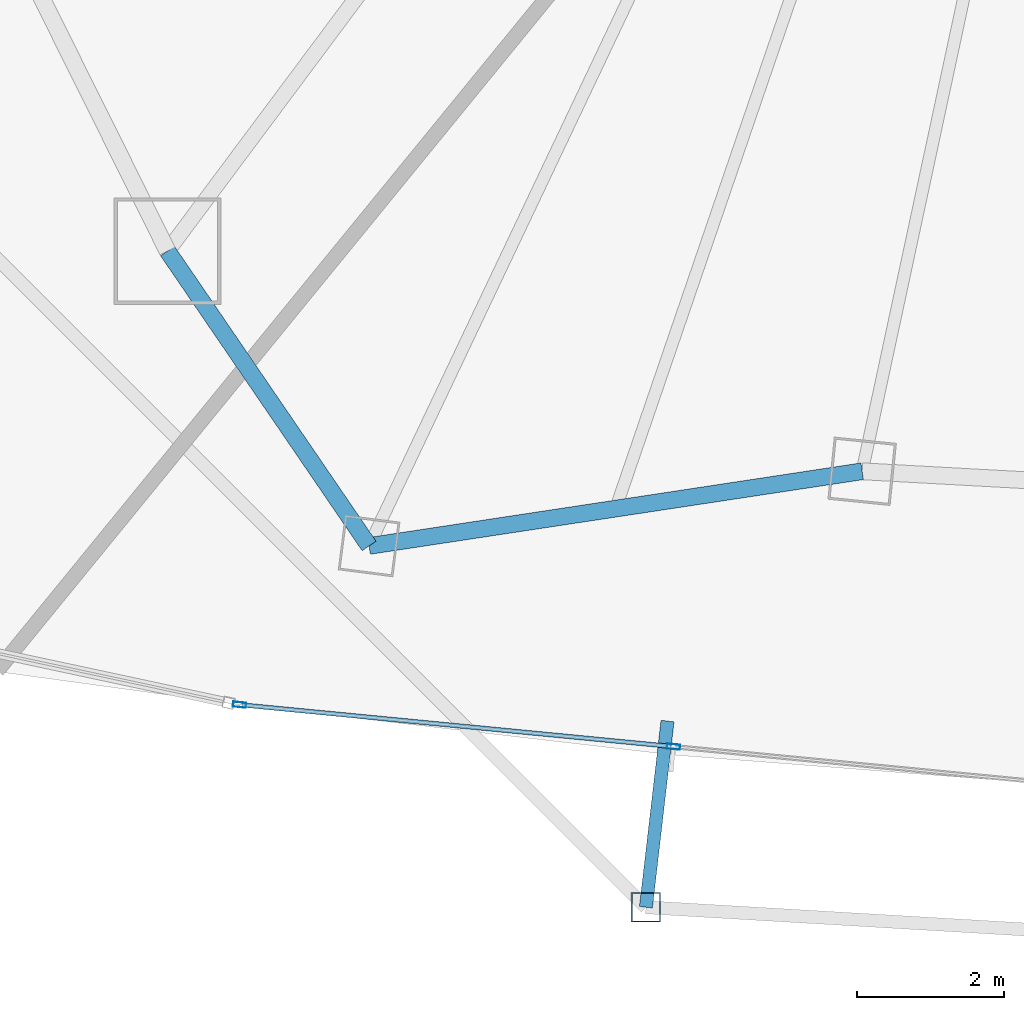
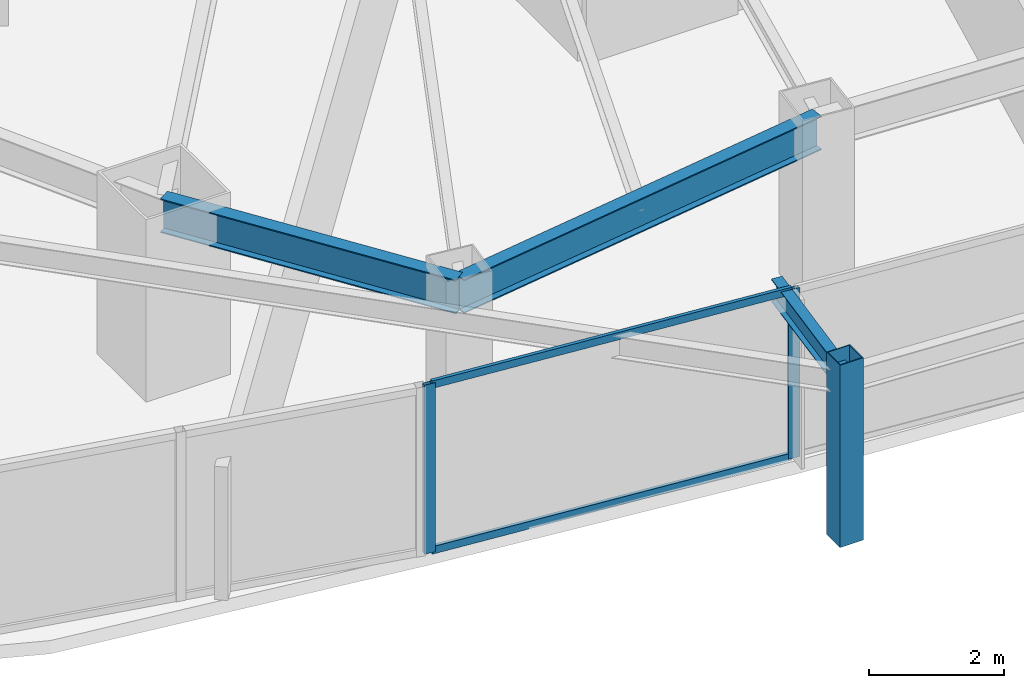
# One storey, part 4 of 33: 5 members, 3 beams, 1 element without a shape of its own.
"""IFC4 building model written with IfcOpenShell, lengths in metres."""

import ifcopenshell
import ifcopenshell.guid

model = None  # the IFC model being written
_history = None  # IfcOwnerHistory: only IFC2X3 demands one
_inside = {}  # id of a spatial element -> (the spatial element, [elements in it])
_under = {}  # id of a project, library or spatial element -> (it, [spatial elements below it])
_declared = {}  # id of a project -> (the project, [libraries it declares])
_typed = {}  # id of a type object -> (the type object, [elements of that type])
_made_of = {}  # id of a material, layer set ... -> (it, [elements and type objects made of it])


def new_model(schema):
    """Start an empty IFC model of exactly this schema.

    Asked for "IFC4X3", IfcOpenShell would pick the latest addendum, in which some entities
    have other attributes; the version numbers below select the first issue.
    IFC2X3 requires an IfcOwnerHistory on every rooted entity: one is made here for all.
    """
    global model, _history
    if schema == "IFC4X3":
        model = ifcopenshell.file(schema_version=(4, 3, 0, 0))
    else:
        model = ifcopenshell.file(schema=schema)
    _inside.clear()
    _under.clear()
    _declared.clear()
    _typed.clear()
    _made_of.clear()
    _history = None
    if model.schema == "IFC2X3":
        org = make("IfcOrganization", Name="unknown")
        user = make(
            "IfcPersonAndOrganization",
            ThePerson=make("IfcPerson", FamilyName="unknown"),
            TheOrganization=org,
        )
        app = make(
            "IfcApplication",
            ApplicationDeveloper=org,
            Version="unknown",
            ApplicationFullName="unknown",
            ApplicationIdentifier="unknown",
        )
        _history = make(
            "IfcOwnerHistory",
            OwningUser=user,
            OwningApplication=app,
            ChangeAction="ADDED",
            CreationDate=0,
        )
    return model


def make(cls, **values):
    """One entity of the class cls with the attributes given. An attribute that is None is left unset."""
    return model.create_entity(
        cls, **{name: value for name, value in values.items() if value is not None}
    )


def rooted(cls, **values):
    """An entity with a GlobalId (a new one), such as an element, a storey or a relation."""
    return make(cls, GlobalId=ifcopenshell.guid.new(), OwnerHistory=_history, **values)


def si_unit(unit_type, name, prefix=None):
    """IfcSIUnit, for example si_unit("LENGTHUNIT", "METRE", prefix="MILLI")."""
    return make("IfcSIUnit", UnitType=unit_type, Prefix=prefix, Name=name)


def assignment(units):
    """IfcUnitAssignment: the units of a project."""
    return None if units is None else make("IfcUnitAssignment", Units=units)


def point(xyz):
    """IfcCartesianPoint."""
    return None if xyz is None else make("IfcCartesianPoint", Coordinates=xyz)


def direction(xyz):
    """IfcDirection."""
    return None if xyz is None else make("IfcDirection", DirectionRatios=xyz)


def frame(location, z_axis=None, x_axis=None):
    """IfcAxis2Placement3D, a coordinate frame: its origin and axes. An axis left out is left unset."""
    return make(
        "IfcAxis2Placement3D",
        Location=point(location),
        Axis=direction(z_axis),
        RefDirection=direction(x_axis),
    )


def frame_2d(location, x_axis=None):
    """IfcAxis2Placement2D, a coordinate frame in the plane: its origin and x axis."""
    return make(
        "IfcAxis2Placement2D", Location=point(location), RefDirection=direction(x_axis)
    )


def origin():
    """The frame at (0, 0, 0) with its axes left unset."""
    return frame((0.0, 0.0, 0.0))


def origin_2d():
    """The frame at (0, 0) in the plane with its x axis left unset."""
    return frame_2d((0.0, 0.0))


def place(relative_to, where):
    """IfcLocalPlacement: puts the frame where relative to a parent placement (None: the world)."""
    return make(
        "IfcLocalPlacement", PlacementRelTo=relative_to, RelativePlacement=where
    )


def context(
    kind, dimensions, precision=None, world=None, true_north=None, identifier=None
):
    """IfcGeometricRepresentationContext, for example the 3D "Model" context."""
    return make(
        "IfcGeometricRepresentationContext",
        ContextIdentifier=identifier,
        ContextType=kind,
        CoordinateSpaceDimension=dimensions,
        Precision=precision,
        WorldCoordinateSystem=world,
        TrueNorth=true_north,
    )


def subcontext(parent, identifier, kind, view, scale=None):
    """IfcGeometricRepresentationSubContext, for example "Body" below "Model"."""
    return make(
        "IfcGeometricRepresentationSubContext",
        ContextIdentifier=identifier,
        ContextType=kind,
        ParentContext=parent,
        TargetScale=scale,
        TargetView=view,
    )


def project(units=None, contexts=None):
    """IfcProject with its units and contexts."""
    return rooted(
        "IfcProject",
        Name="project",
        RepresentationContexts=contexts,
        UnitsInContext=assignment(units),
    )


def spatial(cls, under=None, at=None, **own):
    """A site, building, storey or space (cls), placed at a placement, below another one or the project."""
    s = rooted(cls, ObjectPlacement=at, **own)
    if under is not None:
        _under.setdefault(under.id(), (under, []))[1].append(s)
    return s


def profile(cls, at=None, kind="AREA", **sizes):
    """A parametric profile (cls). Its sizes go by their IFC names, for example OverallWidth=200.0."""
    return make(cls, ProfileType=kind, Position=at, **sizes)


def hollow_rectangle(**sizes):
    """IfcRectangleHollowProfileDef."""
    return profile("IfcRectangleHollowProfileDef", **sizes)


def i_section(**sizes):
    """IfcIShapeProfileDef."""
    return profile("IfcIShapeProfileDef", **sizes)


def extrude(swept, where, along, depth):
    """IfcExtrudedAreaSolid: the profile swept, set in the frame where, extruded along a direction by depth."""
    return make(
        "IfcExtrudedAreaSolid",
        SweptArea=swept,
        Position=where,
        ExtrudedDirection=direction(along),
        Depth=depth,
    )


def shape(context_of_items, identifier, shape_type, items):
    """IfcShapeRepresentation: the items that make up one representation, for example the "Body"."""
    return make(
        "IfcShapeRepresentation",
        ContextOfItems=context_of_items,
        RepresentationIdentifier=identifier,
        RepresentationType=shape_type,
        Items=items,
    )


def material(Name=None, Category=None):
    """IfcMaterial."""
    return make("IfcMaterial", Name=Name, Category=Category)


def layer(
    of_material, thickness, ventilated=None, Name=None, Category=None, Priority=None
):
    """IfcMaterialLayer: one layer of a wall or slab, of a material (None: an air gap)."""
    return make(
        "IfcMaterialLayer",
        Material=of_material,
        LayerThickness=thickness,
        IsVentilated=ventilated,
        Name=Name,
        Category=Category,
        Priority=Priority,
    )


def layer_set(layers, Name=None):
    """IfcMaterialLayerSet."""
    return make("IfcMaterialLayerSet", MaterialLayers=layers, LayerSetName=Name)


def material_profile(
    of_material, cross_section, Name=None, Category=None, Priority=None
):
    """IfcMaterialProfile: a cross section and its material."""
    return make(
        "IfcMaterialProfile",
        Name=Name,
        Material=of_material,
        Profile=cross_section,
        Priority=Priority,
        Category=Category,
    )


def profile_set(profiles, Name=None, composite=None):
    """IfcMaterialProfileSet."""
    return make(
        "IfcMaterialProfileSet",
        Name=Name,
        MaterialProfiles=profiles,
        CompositeProfile=composite,
    )


def made_of(thing, what):
    """Note that an element or type object is made of a material, layer set ...; save() writes the relation."""
    if what is not None:
        _made_of.setdefault(what.id(), (what, []))[1].append(thing)
    return thing


def type_object(cls, material=None, **own):
    """A type object (cls), such as IfcWallType, which elements share."""
    return made_of(rooted(cls, **own), material)


def element(
    cls,
    number,
    at=None,
    inside=None,
    cuts=None,
    type_object=None,
    material=None,
    context=None,
    identifier="Body",
    shape_type=None,
    held_by="IfcProductDefinitionShape",
    body=None,
    shapes=None,
    **own,
):
    """One element of the class cls, such as IfcWall. Its Tag is "e" and its number.

    at: its placement. inside: the storey or other place that contains it. cuts: it is an
    opening in that element (IfcRelVoidsElement). A single representation is given by context,
    identifier, shape_type and body (its items); several are given by shapes. held_by: the class
    of the entity that holds the representations. save() writes the other relations.
    """
    e = rooted(cls, Tag="e%d" % number, ObjectPlacement=at, **own)
    if body is not None:
        shapes = [shape(context, identifier, shape_type, body)]
    if shapes is not None:
        e.Representation = make(held_by, Representations=shapes)
    if inside is not None:
        _inside.setdefault(inside.id(), (inside, []))[1].append(e)
    if cuts is not None:
        rooted(
            "IfcRelVoidsElement", RelatingBuildingElement=cuts, RelatedOpeningElement=e
        )
    if type_object is not None:
        _typed.setdefault(type_object.id(), (type_object, []))[1].append(e)
    return made_of(e, material)


def aggregate(whole, parts):
    """IfcRelAggregates: a whole, such as a stair, and the parts it consists of."""
    return rooted("IfcRelAggregates", RelatingObject=whole, RelatedObjects=parts)


def save(model, path):
    """Write the relations noted so far, then the file.

    IfcRelAggregates (storeys below a building ...), IfcRelContainedInSpatialStructure (elements
    in a storey), IfcRelDefinesByType, IfcRelAssociatesMaterial and IfcRelDeclares: one each for
    every whole, place, type object, material and project.
    """
    for whole, parts in _under.values():
        aggregate(whole, parts)
    for where, things in _inside.values():
        rooted(
            "IfcRelContainedInSpatialStructure",
            RelatedElements=things,
            RelatingStructure=where,
        )
    for kind, things in _typed.values():
        rooted("IfcRelDefinesByType", RelatedObjects=things, RelatingType=kind)
    for what, things in _made_of.values():
        rooted("IfcRelAssociatesMaterial", RelatedObjects=things, RelatingMaterial=what)
    for by, libraries in _declared.values():
        rooted("IfcRelDeclares", RelatingContext=by, RelatedDefinitions=libraries)
    model.write(path)


model = new_model("IFC4")

# Units and contexts
model_context = context("Model", 3, precision=1e-05, world=origin(), true_north=direction((0.0, 1.0)))
body_context = subcontext(model_context, "Body", "Model", "MODEL_VIEW")
ifc_project = project(units=[si_unit("LENGTHUNIT", "METRE"), si_unit("AREAUNIT", "SQUARE_METRE"), si_unit("VOLUMEUNIT", "CUBIC_METRE"), si_unit("PLANEANGLEUNIT", "RADIAN"), si_unit("MASSUNIT", "GRAM", prefix="KILO")], contexts=[model_context])

# Site, building, storey
site_placement = place(None, origin())
site = spatial("IfcSite", under=ifc_project, at=site_placement, CompositionType="ELEMENT")
building_placement = place(site_placement, origin())
building = spatial("IfcBuilding", under=site, at=building_placement, Name="Orvanel Arch Residences", CompositionType="ELEMENT")
storey_placement = place(building_placement, frame((0.0, 0.0, 116.60009765625)))
storey = spatial("IfcBuildingStorey", under=building, at=storey_placement, Name="L32", CompositionType="ELEMENT", Elevation=116.60009765625)

# Curtain wall, members
ifc_material_1 = material(Name="Bronze-anodised aluminium AA6063-T6", Category="aluminium")
ifc_layer = layer(ifc_material_1, 0.179931640625)
ifc_layer_set = layer_set([ifc_layer], Name="Bronze-anodised aluminium AA6063-T6")
curtain_wall_type = type_object("IfcCurtainWallType", Name="CW3-MID-SYS", PredefinedType="NOTDEFINED", material=ifc_layer_set)
curtain_wall_placement = place(storey_placement, origin())
curtain_wall = element("IfcCurtainWall", 1, at=curtain_wall_placement, inside=storey, type_object=curtain_wall_type, Name="L32 CW3-MID-SYS Unitised Curtain Wall", PredefinedType="NOTDEFINED")
ifc_material_profile_1 = material_profile(ifc_material_1, hollow_rectangle(XDim=0.070068359375, YDim=0.179931640625, WallThickness=0.00439453125, at=origin_2d()), Name="ALU180x70x4.5")
ifc_profile_set_1 = profile_set([ifc_material_profile_1], Name="Bronze-anodised aluminium AA6063-T6")
member_type_1 = type_object("IfcMemberType", Name="MUL-180x70", PredefinedType="MULLION", material=ifc_profile_set_1)
member_1_placement = place(storey_placement, frame((15.178955078125, 4.1796875, 0.0), z_axis=(0.0, 0.0, 1.0), x_axis=(0.09620902607, 0.995361152197, 0.0)))
member_1 = element("IfcMember", 2, at=member_1_placement, type_object=member_type_1, Name="CW-S3 mullion 1", PredefinedType="MULLION", context=body_context, shape_type="SweptSolid", body=[
    extrude(hollow_rectangle(XDim=0.070068359375, YDim=0.179931640625, WallThickness=0.00439453125, at=origin_2d()), origin(), (0.0, 0.0, 1.0), 3.059814453125),
])
member_2_placement = place(storey_placement, frame((21.08251953125, 3.60888671875, 0.0), z_axis=(0.0, 0.0, 1.0), x_axis=(0.09620902607, 0.995361152197, 0.0)))
member_2 = element("IfcMember", 3, at=member_2_placement, type_object=member_type_1, Name="CW-S3 mullion 2", PredefinedType="MULLION", context=body_context, shape_type="SweptSolid", body=[
    extrude(hollow_rectangle(XDim=0.070068359375, YDim=0.179931640625, WallThickness=0.00439453125, at=origin_2d()), origin(), (0.0, 0.0, 1.0), 3.059814453125),
])

# Beams
ifc_material_2 = material(Name="Structural steel AS/NZS 3679.1 Grade 300 (300 MPa)", Category="steel")
ifc_material_profile_2 = material_profile(ifc_material_2, i_section(OverallWidth=0.177978515625, OverallDepth=0.406005859375, WebThickness=0.0078125, FlangeThickness=0.0126953125, at=origin_2d()), Name="410UB59.7")
ifc_profile_set_2 = profile_set([ifc_material_profile_2], Name="Structural steel AS/NZS 3679.1 Grade 300 (300 MPa)")
beam_type_1 = type_object("IfcBeamType", Name="OB-410UB-EXT", PredefinedType="SPANDREL", material=ifc_profile_set_2)
beam_1_placement = place(storey_placement, frame((21.0009765625, 3.95703125, 2.85693359375), z_axis=(-0.115274576755, -0.993333665972, 0.0), x_axis=(0.993333665972, -0.115274576755, 0.0)))
element("IfcBeam", 4, at=beam_1_placement, inside=storey, type_object=beam_type_1, Name="L32 Outer Frame Radial Tie Beam 05", PredefinedType="SPANDREL", context=body_context, shape_type="SweptSolid", body=[
    extrude(i_section(OverallWidth=0.177978515625, OverallDepth=0.406005859375, WebThickness=0.0078125, FlangeThickness=0.0126953125, at=origin_2d()), origin(), (0.0, 0.0, 1.0), 2.550048828125),
])
ifc_material_profile_3 = material_profile(ifc_material_2, i_section(OverallWidth=0.22900390625, OverallDepth=0.612060546875, WebThickness=0.011962890625, FlangeThickness=0.01953125, at=origin_2d()), Name="610UB125")
ifc_profile_set_3 = profile_set([ifc_material_profile_3], Name="Structural steel AS/NZS 3679.1 Grade 300 (300 MPa)")
beam_type_2 = type_object("IfcBeamType", Name="SP-610UB", PredefinedType="SPANDREL", material=ifc_profile_set_3)
beam_2_placement = place(storey_placement, frame((14.198974609375, 10.35107421875, 2.75390625), z_axis=(0.564251579852, -0.825602903722, 0.0), x_axis=(0.825602903722, 0.564251579852, 0.0)))
element("IfcBeam", 5, at=beam_2_placement, inside=storey, type_object=beam_type_2, Name="L32 Perimeter Spandrel Beam 03", PredefinedType="SPANDREL", context=body_context, shape_type="SweptSolid", body=[
    extrude(i_section(OverallWidth=0.22900390625, OverallDepth=0.612060546875, WebThickness=0.011962890625, FlangeThickness=0.01953125, at=origin_2d()), origin(), (0.0, 0.0, 1.0), 4.859375),
])
beam_3_placement = place(storey_placement, frame((16.94091796875, 6.339111328125, 2.75390625), z_axis=(0.988726323014, 0.149733958002, 0.0), x_axis=(-0.149733958002, 0.988726323014, 0.0)))
element("IfcBeam", 6, at=beam_3_placement, inside=storey, type_object=beam_type_2, Name="L32 Perimeter Spandrel Beam 04", PredefinedType="SPANDREL", context=body_context, shape_type="SweptSolid", body=[
    extrude(i_section(OverallWidth=0.22900390625, OverallDepth=0.612060546875, WebThickness=0.011962890625, FlangeThickness=0.01953125, at=origin_2d()), origin(), (0.0, 0.0, 1.0), 6.784423828125),
])

# Member
ifc_material_3 = material(Name="Structural steel AS/NZS 1163 C450L0 (Grade 450)", Category="steel")
ifc_material_profile_4 = material_profile(ifc_material_3, hollow_rectangle(XDim=0.39990234375, YDim=0.39990234375, WallThickness=0.01611328125, at=origin_2d()), Name="SHS400x400x16")
ifc_profile_set_4 = profile_set([ifc_material_profile_4], Name="Structural steel AS/NZS 1163 C450L0 (Grade 450)")
member_type_2 = type_object("IfcMemberType", Name="ST-400SHS-EXT", PredefinedType="STRUT", material=ifc_profile_set_4)
member_3_placement = place(storey_placement, frame((20.70703125, 1.424072265625, 0.0), z_axis=(0.0, 0.0, 1.0), x_axis=(1.0, 0.0, 0.0)))
element("IfcMember", 7, at=member_3_placement, inside=storey, type_object=member_type_2, Name="L32 Outer Perimeter Frame Post 05", PredefinedType="STRUT", context=body_context, shape_type="SweptSolid", body=[
    extrude(hollow_rectangle(XDim=0.39990234375, YDim=0.39990234375, WallThickness=0.01611328125, at=origin_2d()), origin(), (0.0, 0.0, 1.0), 3.2998046875),
])

ifc_material_profile_5 = material_profile(ifc_material_1, hollow_rectangle(XDim=0.06005859375, YDim=0.135009765625, WallThickness=0.00390625, at=origin_2d()), Name="ALU135x60x4")
ifc_profile_set_5 = profile_set([ifc_material_profile_5], Name="Bronze-anodised aluminium AA6063-T6")
member_type_3 = type_object("IfcMemberType", Name="TRN-135x60", PredefinedType="USERDEFINED", material=ifc_profile_set_5)
member_4_placement = place(storey_placement, frame((15.213623046875, 4.17626953125, 0.02978515625), z_axis=(0.99536005659, -0.096220360342, 0.0), x_axis=(0.096220360342, 0.99536005659, 0.0)))
member_4 = element("IfcMember", 8, at=member_4_placement, type_object=member_type_3, Name="CW-S3 transom 1.1", ObjectType="TRANSOM", PredefinedType="USERDEFINED", context=body_context, shape_type="SweptSolid", body=[
    extrude(hollow_rectangle(XDim=0.06005859375, YDim=0.135009765625, WallThickness=0.00390625, at=origin_2d()), origin(), (0.0, 0.0, 1.0), 5.861083984375),
])

member_5_placement = place(storey_placement, frame((15.213623046875, 4.17626953125, 3.02978515625), z_axis=(0.99536005659, -0.096220360342, 0.0), x_axis=(0.096220360342, 0.99536005659, 0.0)))
member_5 = element("IfcMember", 9, at=member_5_placement, type_object=member_type_3, Name="CW-S3 transom 1.2", ObjectType="TRANSOM", PredefinedType="USERDEFINED", context=body_context, shape_type="SweptSolid", body=[
    extrude(hollow_rectangle(XDim=0.06005859375, YDim=0.135009765625, WallThickness=0.00390625, at=origin_2d()), origin(), (0.0, 0.0, 1.0), 5.861083984375),
])

aggregate(curtain_wall, [member_1, member_2, member_4, member_5])

save(model, "model.ifc")
